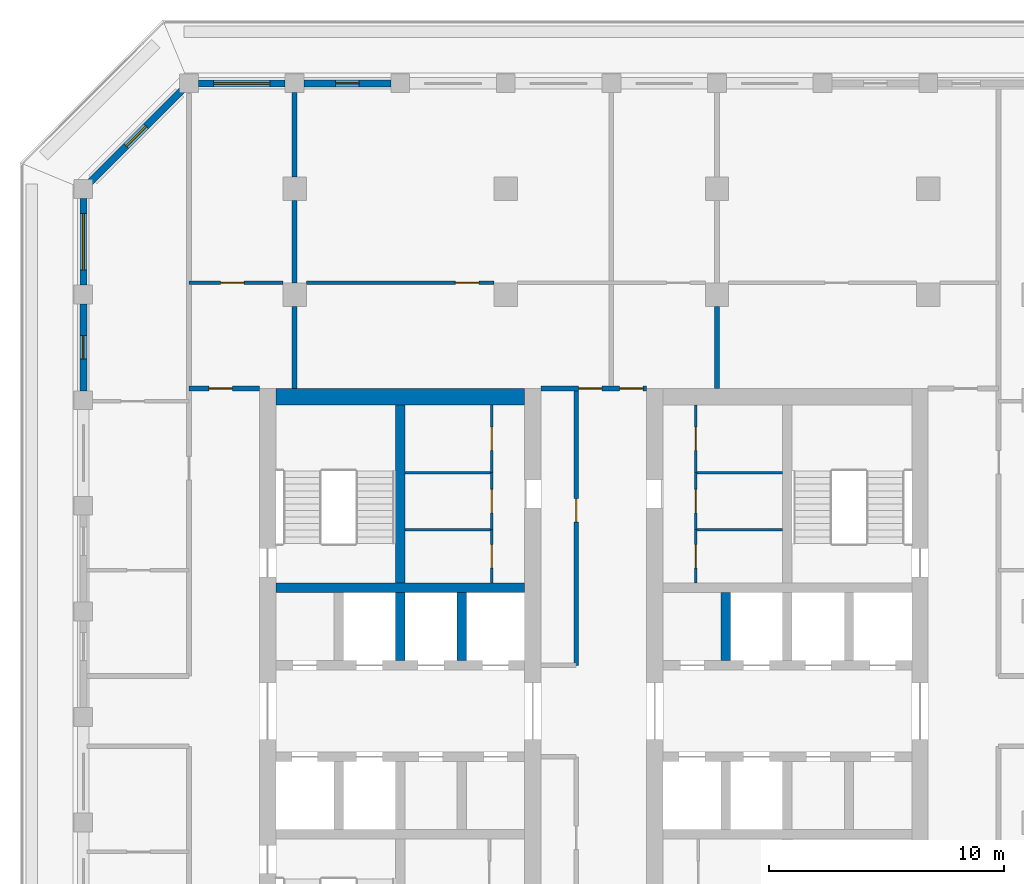
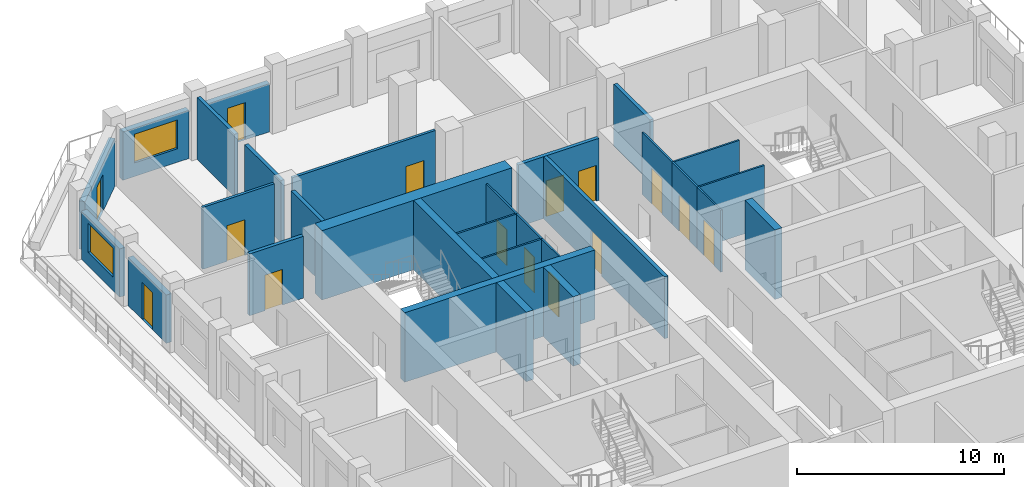
# One storey, part 6 of 17: 30 walls, 15 doors, 2 windows, 17 openings.
"""IFC4 building model written with IfcOpenShell, lengths in metres."""

from ifc_helpers import new_model, si_unit, direction, frame, frame_2d, origin, place, context, subcontext, project, spatial, rectangle, extrude, material, layer, layer_set, type_object, element, fill, save


model = new_model("IFC4")

# Units and contexts
model_context = context("Model", 3, precision=1e-05, world=origin(), true_north=direction((0.0, 1.0)))
body_context = subcontext(model_context, "Body", "Model", "MODEL_VIEW")
ifc_project = project(units=[si_unit("LENGTHUNIT", "METRE"), si_unit("AREAUNIT", "SQUARE_METRE"), si_unit("VOLUMEUNIT", "CUBIC_METRE"), si_unit("PLANEANGLEUNIT", "RADIAN"), si_unit("MASSUNIT", "GRAM", prefix="KILO")], contexts=[model_context])

# Site, building, storey
site_placement = place(None, origin())
site = spatial("IfcSite", under=ifc_project, at=site_placement, CompositionType="ELEMENT")
building_placement = place(site_placement, origin())
building = spatial("IfcBuilding", under=site, at=building_placement, Name="Corbel Stack Research Tower", CompositionType="ELEMENT")
storey_placement = place(building_placement, frame((0.0, 0.0, 243.89990234375)))
storey = spatial("IfcBuildingStorey", under=building, at=storey_placement, Name="L55", CompositionType="ELEMENT", Elevation=243.89990234375)

# Walls
ifc_material_1 = material(Name="Concrete C60/75", Category="concrete")
ifc_layer_1 = layer(ifc_material_1, 0.39990234375)
ifc_layer_set_1 = layer_set([ifc_layer_1], Name="Concrete C60/75")
wall_type_1 = type_object("IfcWallType", Name="CW-400-60", PredefinedType="SHEAR", material=ifc_layer_set_1)
wall_1_placement = place(storey_placement, frame((-9.800048828125, 10.0, 0.0), z_axis=(0.0, 0.0, 1.0), x_axis=(1.0, 0.0, 0.0)))
element("IfcWall", 1, at=wall_1_placement, inside=storey, type_object=wall_type_1, Name="West core wall, north row back L55", PredefinedType="SHEAR", context=body_context, shape_type="SweptSolid", body=[
    extrude(rectangle(XDim=10.60009765625, YDim=0.39990234375, at=frame_2d((5.300048828125, 0.0))), origin(), (0.0, 0.0, 1.0), 4.10009765625),
])
for number, where, z_axis, x_axis, name in (
    (2, (-4.5, 6.89990234375, 0.0), (0.0, 0.0, 1.0), (0.0, 1.0, 0.0), "West core wall, north shaft 2 L55"),
    (3, (-1.875, 6.89990234375, 0.0), (0.0, 0.0, 1.0), (0.0, 1.0, 0.0), "West core wall, north shaft 3 L55"),
):
    element("IfcWall", number, at=place(storey_placement, frame(where, z_axis=z_axis, x_axis=x_axis)), inside=storey, type_object=wall_type_1, Name=name, PredefinedType="SHEAR", context=body_context, shape_type="SweptSolid", body=[
        extrude(rectangle(XDim=2.900146484375, YDim=0.39990234375, at=frame_2d((1.4501953125, 0.0))), origin(), (0.0, 0.0, 1.0), 4.10009765625),
    ])
wall_2_placement = place(storey_placement, frame((-4.5, 10.199951171875, 0.0), z_axis=(0.0, 0.0, 1.0), x_axis=(0.0, 1.0, 0.0)))
element("IfcWall", 4, at=wall_2_placement, inside=storey, type_object=wall_type_1, Name="West core wall, north stair and riser L55", PredefinedType="SHEAR", context=body_context, shape_type="SweptSolid", body=[
    extrude(rectangle(XDim=7.60009765625, YDim=0.39990234375, at=frame_2d((3.800048828125, 0.0))), origin(), (0.0, 0.0, 1.0), 4.10009765625),
])
wall_3_placement = place(storey_placement, frame((9.375, 6.89990234375, 0.0), z_axis=(0.0, 0.0, 1.0), x_axis=(0.0, 1.0, 0.0)))
element("IfcWall", 5, at=wall_3_placement, inside=storey, type_object=wall_type_1, Name="East core wall, north shaft 1 L55", PredefinedType="SHEAR", context=body_context, shape_type="SweptSolid", body=[
    extrude(rectangle(XDim=2.900146484375, YDim=0.39990234375, at=frame_2d((1.4501953125, 0.0))), origin(), (0.0, 0.0, 1.0), 4.10009765625),
])
ifc_material_2 = material(Name="Concrete C60/75", Category="concrete")
ifc_layer_2 = layer(ifc_material_2, 0.699951171875)
ifc_layer_set_2 = layer_set([ifc_layer_2], Name="Concrete C60/75")
wall_type_2 = type_object("IfcWallType", Name="CW-700-60", PredefinedType="SHEAR", material=ifc_layer_set_2)
wall_4_placement = place(storey_placement, frame((-9.800048828125, 18.14990234375, 0.0), z_axis=(0.0, 0.0, 1.0), x_axis=(1.0, 0.0, 0.0)))
element("IfcWall", 6, at=wall_4_placement, inside=storey, type_object=wall_type_2, Name="West core wall, north end L55", PredefinedType="SHEAR", context=body_context, shape_type="SweptSolid", body=[
    extrude(rectangle(XDim=10.60009765625, YDim=0.699951171875, at=frame_2d((5.300048828125, 0.0))), origin(), (0.0, 0.0, 1.0), 4.10009765625),
])

# Wall, opening, door
ifc_material_3 = material(Name="Gypsum board")
ifc_layer_3 = layer(ifc_material_3, 0.10009765625)
ifc_layer_set_3 = layer_set([ifc_layer_3], Name="Gypsum board")
wall_type_3 = type_object("IfcWallType", Name="Core partition 100", PredefinedType="PARTITIONING", material=ifc_layer_set_3)
wall_5_placement = place(storey_placement, frame((-0.60009765625, 10.199951171875, 0.0), z_axis=(0.0, 0.0, 1.0), x_axis=(0.0, 1.0, 0.0)))
wall_5 = element("IfcWall", 7, at=wall_5_placement, inside=storey, type_object=wall_type_3, Name="Core partition W", PredefinedType="PARTITIONING", context=body_context, shape_type="SweptSolid", body=[
    extrude(rectangle(XDim=2.280029296875, YDim=0.10009765625, at=frame_2d((1.14013671875, 0.0))), origin(), (0.0, 0.0, 1.0), 3.650146484375),
])
opening_1_placement = place(wall_5_placement, frame((0.639892578125, 0.0, 0.0)))
opening_1 = element("IfcOpeningElement", 8, at=opening_1_placement, cuts=wall_5, Name="Opening CR-W12-R2-1000", PredefinedType="OPENING", context=body_context, shape_type="SweptSolid", body=[
    extrude(rectangle(XDim=1.0, YDim=2.10009765625, at=frame_2d((0.5, 1.050048828125))), frame((0.0, 0.06005859375, 0.0), z_axis=(0.0, -1.0, 0.0), x_axis=(1.0, 0.0, 0.0)), (0.0, 0.0, 1.0), 0.1201171875),
])
ifc_material_4 = material(Name="Painted steel door", Category="steel")
door_type_1 = type_object("IfcDoorType", Name="Riser door 1000 x 2100 FD60 right hand", OperationType="SINGLE_SWING_RIGHT", PredefinedType="DOOR", material=ifc_material_4)
door_1_placement = place(opening_1_placement, origin())
door_1 = element("IfcDoor", 9, at=door_1_placement, inside=storey, type_object=door_type_1, Name="Mechanical riser door W core", OperationType="SINGLE_SWING_RIGHT", OverallHeight=2.10009765625, OverallWidth=1.0, PredefinedType="DOOR", context=body_context, shape_type="SweptSolid", body=[
    extrude(rectangle(XDim=1.0, YDim=2.10009765625, at=frame_2d((0.5, 1.050048828125))), frame((0.0, 0.02490234375, 0.0), z_axis=(0.0, -1.0, 0.0), x_axis=(1.0, 0.0, 0.0)), (0.0, 0.0, 1.0), 0.050048828125),
])
fill(opening_1, door_1)

wall_6_placement = place(storey_placement, frame((-0.60009765625, 12.47998046875, 0.0), z_axis=(0.0, 0.0, 1.0), x_axis=(0.0, 1.0, 0.0)))
wall_6 = element("IfcWall", 10, at=wall_6_placement, inside=storey, type_object=wall_type_3, Name="Core partition W", PredefinedType="PARTITIONING", context=body_context, shape_type="SweptSolid", body=[
    extrude(rectangle(XDim=2.43212890625, YDim=0.10009765625, at=frame_2d((1.216064453125, 0.0))), origin(), (0.0, 0.0, 1.0), 3.650146484375),
])
opening_2_placement = place(wall_6_placement, frame((0.716064453125, 0.0, 0.0)))
opening_2 = element("IfcOpeningElement", 11, at=opening_2_placement, cuts=wall_6, Name="Opening CR-W12-R3-1000", PredefinedType="OPENING", context=body_context, shape_type="SweptSolid", body=[
    extrude(rectangle(XDim=1.0, YDim=2.10009765625, at=frame_2d((0.5, 1.050048828125))), frame((0.0, 0.06005859375, 0.0), z_axis=(0.0, -1.0, 0.0), x_axis=(1.0, 0.0, 0.0)), (0.0, 0.0, 1.0), 0.1201171875),
])
ifc_material_5 = material(Name="Painted steel door", Category="steel")
door_type_2 = type_object("IfcDoorType", Name="Service door 1000 x 2100 FD30 left hand", OperationType="SINGLE_SWING_LEFT", PredefinedType="DOOR", material=ifc_material_5)
door_2_placement = place(opening_2_placement, origin())
door_2 = element("IfcDoor", 12, at=door_2_placement, inside=storey, type_object=door_type_2, Name="Pantry door W core", OperationType="SINGLE_SWING_LEFT", OverallHeight=2.10009765625, OverallWidth=1.0, PredefinedType="DOOR", context=body_context, shape_type="SweptSolid", body=[
    extrude(rectangle(XDim=1.0, YDim=2.10009765625, at=frame_2d((0.5, 1.050048828125))), frame((0.0, 0.02490234375, 0.0), z_axis=(0.0, -1.0, 0.0), x_axis=(1.0, 0.0, 0.0)), (0.0, 0.0, 1.0), 0.050048828125),
])
fill(opening_2, door_2)

wall_7_placement = place(storey_placement, frame((-0.60009765625, 14.912109375, 0.0), z_axis=(0.0, 0.0, 1.0), x_axis=(0.0, 1.0, 0.0)))
wall_7 = element("IfcWall", 13, at=wall_7_placement, inside=storey, type_object=wall_type_3, Name="Core partition W", PredefinedType="PARTITIONING", context=body_context, shape_type="SweptSolid", body=[
    extrude(rectangle(XDim=2.887939453125, YDim=0.10009765625, at=frame_2d((1.44384765625, 0.0))), origin(), (0.0, 0.0, 1.0), 3.650146484375),
])
opening_3_placement = place(wall_7_placement, frame((0.944091796875, 0.0, 0.0)))
opening_3 = element("IfcOpeningElement", 14, at=opening_3_placement, cuts=wall_7, Name="Opening CR-W12-R4-1000", PredefinedType="OPENING", context=body_context, shape_type="SweptSolid", body=[
    extrude(rectangle(XDim=1.0, YDim=2.10009765625, at=frame_2d((0.5, 1.050048828125))), frame((0.0, 0.06005859375, 0.0), z_axis=(0.0, -1.0, 0.0), x_axis=(1.0, 0.0, 0.0)), (0.0, 0.0, 1.0), 0.1201171875),
])
door_3_placement = place(opening_3_placement, origin())
door_3 = element("IfcDoor", 15, at=door_3_placement, inside=storey, type_object=door_type_1, Name="Electrical riser door W core", OperationType="SINGLE_SWING_RIGHT", OverallHeight=2.10009765625, OverallWidth=1.0, PredefinedType="DOOR", context=body_context, shape_type="SweptSolid", body=[
    extrude(rectangle(XDim=1.0, YDim=2.10009765625, at=frame_2d((0.5, 1.050048828125))), frame((0.0, 0.02490234375, 0.0), z_axis=(0.0, -1.0, 0.0), x_axis=(1.0, 0.0, 0.0)), (0.0, 0.0, 1.0), 0.050048828125),
])
fill(opening_3, door_3)

# Walls
for number, where, z_axis, x_axis, name in (
    (16, (-4.300048828125, 12.47998046875, 0.0), (0.0, 0.0, 1.0), (1.0, 0.0, 0.0), "Core partition W"),
    (17, (-4.300048828125, 14.912109375, 0.0), (0.0, 0.0, 1.0), (1.0, 0.0, 0.0), "Core partition W"),
):
    element("IfcWall", number, at=place(storey_placement, frame(where, z_axis=z_axis, x_axis=x_axis)), inside=storey, type_object=wall_type_3, Name=name, PredefinedType="PARTITIONING", context=body_context, shape_type="SweptSolid", body=[
        extrude(rectangle(XDim=3.699951171875, YDim=0.10009765625, at=frame_2d((1.85009765625, 0.0))), origin(), (0.0, 0.0, 1.0), 3.650146484375),
    ])

# Wall, opening, door
wall_8_placement = place(storey_placement, frame((8.10009765625, 10.199951171875, 0.0), z_axis=(0.0, 0.0, 1.0), x_axis=(0.0, 1.0, 0.0)))
wall_8 = element("IfcWall", 18, at=wall_8_placement, inside=storey, type_object=wall_type_3, Name="Core partition E", PredefinedType="PARTITIONING", context=body_context, shape_type="SweptSolid", body=[
    extrude(rectangle(XDim=2.280029296875, YDim=0.10009765625, at=frame_2d((1.14013671875, 0.0))), origin(), (0.0, 0.0, 1.0), 3.650146484375),
])
opening_4_placement = place(wall_8_placement, frame((0.639892578125, 0.0, 0.0)))
opening_4 = element("IfcOpeningElement", 19, at=opening_4_placement, cuts=wall_8, Name="Opening CR-E12-R2-1000", PredefinedType="OPENING", context=body_context, shape_type="SweptSolid", body=[
    extrude(rectangle(XDim=1.0, YDim=2.10009765625, at=frame_2d((0.5, 1.050048828125))), frame((0.0, 0.06005859375, 0.0), z_axis=(0.0, -1.0, 0.0), x_axis=(1.0, 0.0, 0.0)), (0.0, 0.0, 1.0), 0.1201171875),
])
ifc_material_6 = material(Name="Painted steel door", Category="steel")
door_type_3 = type_object("IfcDoorType", Name="Riser door 1000 x 2100 FD60 left hand", OperationType="SINGLE_SWING_LEFT", PredefinedType="DOOR", material=ifc_material_6)
door_4_placement = place(opening_4_placement, origin())
door_4 = element("IfcDoor", 20, at=door_4_placement, inside=storey, type_object=door_type_3, Name="Mechanical riser door E core", OperationType="SINGLE_SWING_LEFT", OverallHeight=2.10009765625, OverallWidth=1.0, PredefinedType="DOOR", context=body_context, shape_type="SweptSolid", body=[
    extrude(rectangle(XDim=1.0, YDim=2.10009765625, at=frame_2d((0.5, 1.050048828125))), frame((0.0, 0.02490234375, 0.0), z_axis=(0.0, -1.0, 0.0), x_axis=(1.0, 0.0, 0.0)), (0.0, 0.0, 1.0), 0.050048828125),
])
fill(opening_4, door_4)

wall_9_placement = place(storey_placement, frame((8.10009765625, 12.47998046875, 0.0), z_axis=(0.0, 0.0, 1.0), x_axis=(0.0, 1.0, 0.0)))
wall_9 = element("IfcWall", 21, at=wall_9_placement, inside=storey, type_object=wall_type_3, Name="Core partition E", PredefinedType="PARTITIONING", context=body_context, shape_type="SweptSolid", body=[
    extrude(rectangle(XDim=2.43212890625, YDim=0.10009765625, at=frame_2d((1.216064453125, 0.0))), origin(), (0.0, 0.0, 1.0), 3.650146484375),
])
opening_5_placement = place(wall_9_placement, frame((0.716064453125, 0.0, 0.0)))
opening_5 = element("IfcOpeningElement", 22, at=opening_5_placement, cuts=wall_9, Name="Opening CR-E12-R3-1000", PredefinedType="OPENING", context=body_context, shape_type="SweptSolid", body=[
    extrude(rectangle(XDim=1.0, YDim=2.10009765625, at=frame_2d((0.5, 1.050048828125))), frame((0.0, 0.06005859375, 0.0), z_axis=(0.0, -1.0, 0.0), x_axis=(1.0, 0.0, 0.0)), (0.0, 0.0, 1.0), 0.1201171875),
])
ifc_material_7 = material(Name="Painted steel door", Category="steel")
door_type_4 = type_object("IfcDoorType", Name="Service door 1000 x 2100 FD30 right hand", OperationType="SINGLE_SWING_RIGHT", PredefinedType="DOOR", material=ifc_material_7)
door_5_placement = place(opening_5_placement, origin())
door_5 = element("IfcDoor", 23, at=door_5_placement, inside=storey, type_object=door_type_4, Name="Pantry door E core", OperationType="SINGLE_SWING_RIGHT", OverallHeight=2.10009765625, OverallWidth=1.0, PredefinedType="DOOR", context=body_context, shape_type="SweptSolid", body=[
    extrude(rectangle(XDim=1.0, YDim=2.10009765625, at=frame_2d((0.5, 1.050048828125))), frame((0.0, 0.02490234375, 0.0), z_axis=(0.0, -1.0, 0.0), x_axis=(1.0, 0.0, 0.0)), (0.0, 0.0, 1.0), 0.050048828125),
])
fill(opening_5, door_5)

wall_10_placement = place(storey_placement, frame((8.10009765625, 14.912109375, 0.0), z_axis=(0.0, 0.0, 1.0), x_axis=(0.0, 1.0, 0.0)))
wall_10 = element("IfcWall", 24, at=wall_10_placement, inside=storey, type_object=wall_type_3, Name="Core partition E", PredefinedType="PARTITIONING", context=body_context, shape_type="SweptSolid", body=[
    extrude(rectangle(XDim=2.887939453125, YDim=0.10009765625, at=frame_2d((1.44384765625, 0.0))), origin(), (0.0, 0.0, 1.0), 3.650146484375),
])
opening_6_placement = place(wall_10_placement, frame((0.944091796875, 0.0, 0.0)))
opening_6 = element("IfcOpeningElement", 25, at=opening_6_placement, cuts=wall_10, Name="Opening CR-E12-R4-1000", PredefinedType="OPENING", context=body_context, shape_type="SweptSolid", body=[
    extrude(rectangle(XDim=1.0, YDim=2.10009765625, at=frame_2d((0.5, 1.050048828125))), frame((0.0, 0.06005859375, 0.0), z_axis=(0.0, -1.0, 0.0), x_axis=(1.0, 0.0, 0.0)), (0.0, 0.0, 1.0), 0.1201171875),
])
door_6_placement = place(opening_6_placement, origin())
door_6 = element("IfcDoor", 26, at=door_6_placement, inside=storey, type_object=door_type_3, Name="Electrical riser door E core", OperationType="SINGLE_SWING_LEFT", OverallHeight=2.10009765625, OverallWidth=1.0, PredefinedType="DOOR", context=body_context, shape_type="SweptSolid", body=[
    extrude(rectangle(XDim=1.0, YDim=2.10009765625, at=frame_2d((0.5, 1.050048828125))), frame((0.0, 0.02490234375, 0.0), z_axis=(0.0, -1.0, 0.0), x_axis=(1.0, 0.0, 0.0)), (0.0, 0.0, 1.0), 0.050048828125),
])
fill(opening_6, door_6)

# Walls
for number, where, z_axis, x_axis, name in (
    (27, (8.10009765625, 12.47998046875, 0.0), (0.0, 0.0, 1.0), (1.0, 0.0, 0.0), "Core partition E"),
    (28, (8.10009765625, 14.912109375, 0.0), (0.0, 0.0, 1.0), (1.0, 0.0, 0.0), "Core partition E"),
):
    element("IfcWall", number, at=place(storey_placement, frame(where, z_axis=z_axis, x_axis=x_axis)), inside=storey, type_object=wall_type_3, Name=name, PredefinedType="PARTITIONING", context=body_context, shape_type="SweptSolid", body=[
        extrude(rectangle(XDim=3.699951171875, YDim=0.10009765625, at=frame_2d((1.85009765625, 0.0))), origin(), (0.0, 0.0, 1.0), 3.650146484375),
    ])
ifc_material_8 = material(Name="Fire-rated gypsum board partition on steel studs", Category="steel")
ifc_layer_4 = layer(ifc_material_8, 0.199951171875)
ifc_layer_set_4 = layer_set([ifc_layer_4], Name="Fire-rated gypsum board partition on steel studs")
wall_type_4 = type_object("IfcWallType", Name="Fire-rated partition 200 EI 60", PredefinedType="PARTITIONING", material=ifc_layer_set_4)
for number, where, z_axis, x_axis, name in (
    (29, (-9.0, 18.5, 0.0), (0.0, 0.0, 1.0), (0.0, 1.0, 0.0), "Partition L55-005"),
    (30, (-9.0, 23.0, 0.0), (0.0, 0.0, 1.0), (0.0, 1.0, 0.0), "Partition L55-006"),
):
    element("IfcWall", number, at=place(storey_placement, frame(where, z_axis=z_axis, x_axis=x_axis)), inside=storey, type_object=wall_type_4, Name=name, PredefinedType="PARTITIONING", context=body_context, shape_type="SweptSolid", body=[
        extrude(rectangle(XDim=3.5, YDim=0.199951171875, at=frame_2d((1.75, 0.0))), origin(), (0.0, 0.0, 1.0), 3.650146484375),
    ])
wall_11_placement = place(storey_placement, frame((-9.0, 27.5, 0.0), z_axis=(0.0, 0.0, 1.0), x_axis=(0.0, 1.0, 0.0)))
element("IfcWall", 31, at=wall_11_placement, inside=storey, type_object=wall_type_4, Name="Partition L55-007", PredefinedType="PARTITIONING", context=body_context, shape_type="SweptSolid", body=[
    extrude(rectangle(XDim=3.60009765625, YDim=0.199951171875, at=frame_2d((1.800048828125, 0.0))), origin(), (0.0, 0.0, 1.0), 3.650146484375),
])

# Wall, opening, door
wall_12_placement = place(storey_placement, frame((3.0, 6.699951171875, 0.0), z_axis=(0.0, 0.0, 1.0), x_axis=(0.0, 1.0, 0.0)))
wall_12 = element("IfcWall", 32, at=wall_12_placement, inside=storey, type_object=wall_type_4, Name="Partition L55-010", PredefinedType="PARTITIONING", context=body_context, shape_type="SweptSolid", body=[
    extrude(rectangle(XDim=11.800048828125, YDim=0.199951171875, at=frame_2d((5.89990234375, 0.0))), origin(), (0.0, 0.0, 1.0), 3.650146484375),
])
opening_7_placement = place(wall_12_placement, frame((6.10009765625, 0.0, 0.0)))
opening_7 = element("IfcOpeningElement", 33, at=opening_7_placement, cuts=wall_12, Name="Opening B7V1-017", PredefinedType="OPENING", context=body_context, shape_type="SweptSolid", body=[
    extrude(rectangle(XDim=1.0, YDim=2.10009765625, at=frame_2d((0.5, 1.050048828125))), frame((0.0, 0.10986328125, 0.0), z_axis=(0.0, -1.0, 0.0), x_axis=(1.0, 0.0, 0.0)), (0.0, 0.0, 1.0), 0.219970703125),
])
ifc_material_9 = material(Name="Painted steel fire door", Category="steel")
door_type_5 = type_object("IfcDoorType", Name="Fire door FD30S 1000 x 2100", OperationType="NOTDEFINED", PredefinedType="DOOR", material=ifc_material_9)
door_7_placement = place(opening_7_placement, origin())
door_7 = element("IfcDoor", 34, at=door_7_placement, inside=storey, type_object=door_type_5, Name="Door B7V1-017", OperationType="SINGLE_SWING_RIGHT", OverallHeight=2.10009765625, OverallWidth=1.0, PredefinedType="DOOR", context=body_context, shape_type="SweptSolid", body=[
    extrude(rectangle(XDim=1.0, YDim=2.10009765625, at=frame_2d((0.5, 1.050048828125))), frame((0.0, 0.02490234375, 0.0), z_axis=(0.0, -1.0, 0.0), x_axis=(1.0, 0.0, 0.0)), (0.0, 0.0, 1.0), 0.050048828125),
])
fill(opening_7, door_7)

# Wall
wall_13_placement = place(storey_placement, frame((9.0, 18.5, 0.0), z_axis=(0.0, 0.0, 1.0), x_axis=(0.0, 1.0, 0.0)))
element("IfcWall", 35, at=wall_13_placement, inside=storey, type_object=wall_type_4, Name="Partition L55-015", PredefinedType="PARTITIONING", context=body_context, shape_type="SweptSolid", body=[
    extrude(rectangle(XDim=3.5, YDim=0.199951171875, at=frame_2d((1.75, 0.0))), origin(), (0.0, 0.0, 1.0), 3.650146484375),
])

# Wall, opening, door
wall_14_placement = place(storey_placement, frame((-13.5, 18.5, 0.0), z_axis=(0.0, 0.0, 1.0), x_axis=(1.0, 0.0, 0.0)))
wall_14 = element("IfcWall", 36, at=wall_14_placement, inside=storey, type_object=wall_type_4, Name="Partition L55-042", PredefinedType="PARTITIONING", context=body_context, shape_type="SweptSolid", body=[
    extrude(rectangle(XDim=3.0, YDim=0.199951171875, at=frame_2d((1.5, 0.0))), origin(), (0.0, 0.0, 1.0), 3.650146484375),
])
opening_8_placement = place(wall_14_placement, frame((0.85009765625, 0.0, 0.0)))
opening_8 = element("IfcOpeningElement", 37, at=opening_8_placement, cuts=wall_14, Name="Opening B7V1-022", PredefinedType="OPENING", context=body_context, shape_type="SweptSolid", body=[
    extrude(rectangle(XDim=1.0, YDim=2.10009765625, at=frame_2d((0.5, 1.050048828125))), frame((0.0, 0.10986328125, 0.0), z_axis=(0.0, -1.0, 0.0), x_axis=(1.0, 0.0, 0.0)), (0.0, 0.0, 1.0), 0.219970703125),
])
door_8_placement = place(opening_8_placement, origin())
door_8 = element("IfcDoor", 38, at=door_8_placement, inside=storey, type_object=door_type_5, Name="Door B7V1-022", OperationType="SINGLE_SWING_LEFT", OverallHeight=2.10009765625, OverallWidth=1.0, PredefinedType="DOOR", context=body_context, shape_type="SweptSolid", body=[
    extrude(rectangle(XDim=1.0, YDim=2.10009765625, at=frame_2d((0.5, 1.050048828125))), frame((0.0, 0.02490234375, 0.0), z_axis=(0.0, -1.0, 0.0), x_axis=(1.0, 0.0, 0.0)), (0.0, 0.0, 1.0), 0.050048828125),
])
fill(opening_8, door_8)

# Wall, openings, doors
wall_15_placement = place(storey_placement, frame((1.5, 18.5, 0.0), z_axis=(0.0, 0.0, 1.0), x_axis=(1.0, 0.0, 0.0)))
wall_15 = element("IfcWall", 39, at=wall_15_placement, inside=storey, type_object=wall_type_4, Name="Partition L55-043", PredefinedType="PARTITIONING", context=body_context, shape_type="SweptSolid", body=[
    extrude(rectangle(XDim=4.5, YDim=0.199951171875, at=frame_2d((2.25, 0.0))), origin(), (0.0, 0.0, 1.0), 3.650146484375),
])
opening_9_placement = place(wall_15_placement, frame((1.60009765625, 0.0, 0.0)))
opening_9 = element("IfcOpeningElement", 40, at=opening_9_placement, cuts=wall_15, Name="Opening B7V1-023", PredefinedType="OPENING", context=body_context, shape_type="SweptSolid", body=[
    extrude(rectangle(XDim=1.0, YDim=2.10009765625, at=frame_2d((0.5, 1.050048828125))), frame((0.0, 0.10986328125, 0.0), z_axis=(0.0, -1.0, 0.0), x_axis=(1.0, 0.0, 0.0)), (0.0, 0.0, 1.0), 0.219970703125),
])
opening_10_placement = place(wall_15_placement, frame((3.35009765625, 0.0, 0.0)))
opening_10 = element("IfcOpeningElement", 41, at=opening_10_placement, cuts=wall_15, Name="Opening B7V1-024", PredefinedType="OPENING", context=body_context, shape_type="SweptSolid", body=[
    extrude(rectangle(XDim=1.0, YDim=2.10009765625, at=frame_2d((0.5, 1.050048828125))), frame((0.0, 0.10986328125, 0.0), z_axis=(0.0, -1.0, 0.0), x_axis=(1.0, 0.0, 0.0)), (0.0, 0.0, 1.0), 0.219970703125),
])
door_9_placement = place(opening_9_placement, origin())
door_9 = element("IfcDoor", 42, at=door_9_placement, inside=storey, type_object=door_type_5, Name="Door B7V1-023", OperationType="SINGLE_SWING_LEFT", OverallHeight=2.10009765625, OverallWidth=1.0, PredefinedType="DOOR", context=body_context, shape_type="SweptSolid", body=[
    extrude(rectangle(XDim=1.0, YDim=2.10009765625, at=frame_2d((0.5, 1.050048828125))), frame((0.0, 0.02490234375, 0.0), z_axis=(0.0, -1.0, 0.0), x_axis=(1.0, 0.0, 0.0)), (0.0, 0.0, 1.0), 0.050048828125),
])
fill(opening_9, door_9)
door_10_placement = place(opening_10_placement, origin())
door_10 = element("IfcDoor", 43, at=door_10_placement, inside=storey, type_object=door_type_5, Name="Door B7V1-024", OperationType="SINGLE_SWING_RIGHT", OverallHeight=2.10009765625, OverallWidth=1.0, PredefinedType="DOOR", context=body_context, shape_type="SweptSolid", body=[
    extrude(rectangle(XDim=1.0, YDim=2.10009765625, at=frame_2d((0.5, 1.050048828125))), frame((0.0, 0.02490234375, 0.0), z_axis=(0.0, -1.0, 0.0), x_axis=(1.0, 0.0, 0.0)), (0.0, 0.0, 1.0), 0.050048828125),
])
fill(opening_10, door_10)

# Wall, opening, door
ifc_material_10 = material(Name="Gypsum board partition on steel studs", Category="steel")
ifc_layer_5 = layer(ifc_material_10, 0.14990234375)
ifc_layer_set_5 = layer_set([ifc_layer_5], Name="Gypsum board partition on steel studs")
wall_type_5 = type_object("IfcWallType", Name="Partition 150", PredefinedType="PARTITIONING", material=ifc_layer_set_5)
wall_16_placement = place(storey_placement, frame((-13.5, 23.0, 0.0), z_axis=(0.0, 0.0, 1.0), x_axis=(1.0, 0.0, 0.0)))
wall_16 = element("IfcWall", 44, at=wall_16_placement, inside=storey, type_object=wall_type_5, Name="Partition L55-045", PredefinedType="PARTITIONING", context=body_context, shape_type="SweptSolid", body=[
    extrude(rectangle(XDim=4.0, YDim=0.14990234375, at=frame_2d((2.0, 0.0))), origin(), (0.0, 0.0, 1.0), 3.650146484375),
])
opening_11_placement = place(wall_16_placement, frame((1.35009765625, 0.0, 0.0)))
opening_11 = element("IfcOpeningElement", 45, at=opening_11_placement, cuts=wall_16, Name="Opening B7V1-028", PredefinedType="OPENING", context=body_context, shape_type="SweptSolid", body=[
    extrude(rectangle(XDim=1.0, YDim=2.10009765625, at=frame_2d((0.5, 1.050048828125))), frame((0.0, 0.0849609375, 0.0), z_axis=(0.0, -1.0, 0.0), x_axis=(1.0, 0.0, 0.0)), (0.0, 0.0, 1.0), 0.169921875),
])
ifc_material_11 = material(Name="Painted timber door", Category="wood")
door_type_6 = type_object("IfcDoorType", Name="Single door 1000 x 2100", OperationType="NOTDEFINED", PredefinedType="DOOR", material=ifc_material_11)
door_11_placement = place(opening_11_placement, origin())
door_11 = element("IfcDoor", 46, at=door_11_placement, inside=storey, type_object=door_type_6, Name="Door B7V1-028", OperationType="SINGLE_SWING_LEFT", OverallHeight=2.10009765625, OverallWidth=1.0, PredefinedType="DOOR", context=body_context, shape_type="SweptSolid", body=[
    extrude(rectangle(XDim=1.0, YDim=2.10009765625, at=frame_2d((0.5, 1.050048828125))), frame((0.0, 0.02490234375, 0.0), z_axis=(0.0, -1.0, 0.0), x_axis=(1.0, 0.0, 0.0)), (0.0, 0.0, 1.0), 0.050048828125),
])
fill(opening_11, door_11)

wall_17_placement = place(storey_placement, frame((-8.5, 23.0, 0.0), z_axis=(0.0, 0.0, 1.0), x_axis=(1.0, 0.0, 0.0)))
wall_17 = element("IfcWall", 47, at=wall_17_placement, inside=storey, type_object=wall_type_5, Name="Partition L55-046", PredefinedType="PARTITIONING", context=body_context, shape_type="SweptSolid", body=[
    extrude(rectangle(XDim=8.0, YDim=0.14990234375, at=frame_2d((4.0, 0.0))), origin(), (0.0, 0.0, 1.0), 3.650146484375),
])
opening_12_placement = place(wall_17_placement, frame((6.35009765625, 0.0, 0.0)))
opening_12 = element("IfcOpeningElement", 48, at=opening_12_placement, cuts=wall_17, Name="Opening B7V1-029", PredefinedType="OPENING", context=body_context, shape_type="SweptSolid", body=[
    extrude(rectangle(XDim=1.0, YDim=2.10009765625, at=frame_2d((0.5, 1.050048828125))), frame((0.0, 0.0849609375, 0.0), z_axis=(0.0, -1.0, 0.0), x_axis=(1.0, 0.0, 0.0)), (0.0, 0.0, 1.0), 0.169921875),
])
door_12_placement = place(opening_12_placement, origin())
door_12 = element("IfcDoor", 49, at=door_12_placement, inside=storey, type_object=door_type_6, Name="Door B7V1-029", OperationType="SINGLE_SWING_RIGHT", OverallHeight=2.10009765625, OverallWidth=1.0, PredefinedType="DOOR", context=body_context, shape_type="SweptSolid", body=[
    extrude(rectangle(XDim=1.0, YDim=2.10009765625, at=frame_2d((0.5, 1.050048828125))), frame((0.0, 0.02490234375, 0.0), z_axis=(0.0, -1.0, 0.0), x_axis=(1.0, 0.0, 0.0)), (0.0, 0.0, 1.0), 0.050048828125),
])
fill(opening_12, door_12)

ifc_material_12 = material(Name="Concrete C45/55", Category="concrete")
ifc_layer_6 = layer(ifc_material_12, 0.300048828125)
ifc_layer_set_6 = layer_set([ifc_layer_6], Name="Concrete C45/55")
wall_type_6 = type_object("IfcWallType", Name="Terracotta-faced concrete wall 300", PredefinedType="SOLIDWALL", material=ifc_layer_set_6)
wall_18_placement = place(storey_placement, frame((-8.60009765625, 31.5, 0.0), z_axis=(0.0, 0.0, 1.0), x_axis=(1.0, 0.0, 0.0)))
wall_18 = element("IfcWall", 50, at=wall_18_placement, inside=storey, type_object=wall_type_6, Name="Facade wall L55 N07", PredefinedType="SOLIDWALL", context=body_context, shape_type="SweptSolid", body=[
    extrude(rectangle(XDim=3.7001953125, YDim=0.300048828125, at=frame_2d((1.85009765625, 0.0))), origin(), (0.0, 0.0, 1.0), 2.85009765625),
])
opening_13_placement = place(wall_18_placement, frame((1.35009765625, 0.0, 0.0)))
opening_13 = element("IfcOpeningElement", 51, at=opening_13_placement, cuts=wall_18, Name="Opening L55-B08", PredefinedType="OPENING", context=body_context, shape_type="SweptSolid", body=[
    extrude(rectangle(XDim=1.0, YDim=2.199951171875, at=frame_2d((0.5, 1.10009765625))), frame((0.0, 0.159912109375, 0.0), z_axis=(0.0, -1.0, 0.0), x_axis=(1.0, 0.0, 0.0)), (0.0, 0.0, 1.0), 0.320068359375),
])
ifc_material_13 = material(Name="Aluminium frame, clear double glazing", Category="aluminium")
door_type_7 = type_object("IfcDoorType", Name="Balcony door BD1 1000 x 2200", OperationType="NOTDEFINED", PredefinedType="DOOR", material=ifc_material_13)
door_13_placement = place(opening_13_placement, origin())
door_13 = element("IfcDoor", 52, at=door_13_placement, inside=storey, type_object=door_type_7, Name="Balcony door L55-B08", OperationType="SINGLE_SWING_RIGHT", OverallHeight=2.199951171875, OverallWidth=1.0, PredefinedType="DOOR", context=body_context, shape_type="SweptSolid", body=[
    extrude(rectangle(XDim=1.0, YDim=2.199951171875, at=frame_2d((0.5, 1.10009765625))), frame((0.0, 0.02490234375, 0.0), z_axis=(0.0, -1.0, 0.0), x_axis=(1.0, 0.0, 0.0)), (0.0, 0.0, 1.0), 0.050048828125),
])
fill(opening_13, door_13)

# Wall, opening, window
wall_19_placement = place(storey_placement, frame((-13.10009765625, 31.5, 0.0), z_axis=(0.0, 0.0, 1.0), x_axis=(1.0, 0.0, 0.0)))
wall_19 = element("IfcWall", 53, at=wall_19_placement, inside=storey, type_object=wall_type_6, Name="Facade wall L55 N08", PredefinedType="SOLIDWALL", context=body_context, shape_type="SweptSolid", body=[
    extrude(rectangle(XDim=3.7001953125, YDim=0.300048828125, at=frame_2d((1.85009765625, 0.0))), origin(), (0.0, 0.0, 1.0), 2.85009765625),
])
opening_14_placement = place(wall_19_placement, frame((0.64990234375, 0.0, 0.800048828125)))
opening_14 = element("IfcOpeningElement", 54, at=opening_14_placement, cuts=wall_19, Name="Opening W1", PredefinedType="OPENING", context=body_context, shape_type="SweptSolid", body=[
    extrude(rectangle(XDim=2.39990234375, YDim=1.699951171875, at=frame_2d((1.199951171875, 0.85009765625))), frame((0.0, 0.159912109375, 0.0), z_axis=(0.0, -1.0, 0.0), x_axis=(1.0, 0.0, 0.0)), (0.0, 0.0, 1.0), 0.320068359375),
])
ifc_material_14 = material(Name="Aluminium frame, clear double glazing", Category="aluminium")
window_type = type_object("IfcWindowType", Name="Window W1 2400 x 1700", PartitioningType="SINGLE_PANEL", PredefinedType="WINDOW", material=ifc_material_14)
window_1_placement = place(opening_14_placement, origin())
window_1 = element("IfcWindow", 55, at=window_1_placement, inside=storey, type_object=window_type, Name="Window W1 L55 N08", OverallHeight=1.699951171875, OverallWidth=2.39990234375, PartitioningType="SINGLE_PANEL", PredefinedType="WINDOW", context=body_context, shape_type="SweptSolid", body=[
    extrude(rectangle(XDim=2.39990234375, YDim=1.699951171875, at=frame_2d((1.199951171875, 0.85009765625))), frame((0.0, 0.030029296875, 0.0), z_axis=(0.0, -1.0, 0.0), x_axis=(1.0, 0.0, 0.0)), (0.0, 0.0, 1.0), 0.06005859375),
])
fill(opening_14, window_1)

# Wall, opening, door
wall_20_placement = place(storey_placement, frame((-17.7060546875, 27.2939453125, 0.0), z_axis=(0.0, 0.0, 1.0), x_axis=(0.707106781187, 0.707106781187, 0.0)))
wall_20 = element("IfcWall", 56, at=wall_20_placement, inside=storey, type_object=wall_type_6, Name="Facade wall L55 NW01", PredefinedType="SOLIDWALL", context=body_context, shape_type="SweptSolid", body=[
    extrude(rectangle(XDim=5.532470703125, YDim=0.300048828125, at=frame_2d((2.76611328125, 0.0))), origin(), (0.0, 0.0, 1.0), 2.85009765625),
])
opening_15_placement = place(wall_20_placement, frame((2.166259765625, 0.0, 0.0)))
opening_15 = element("IfcOpeningElement", 57, at=opening_15_placement, cuts=wall_20, Name="Opening L55-B09", PredefinedType="OPENING", context=body_context, shape_type="SweptSolid", body=[
    extrude(rectangle(XDim=1.199951171875, YDim=2.199951171875, at=frame_2d((0.60009765625, 1.10009765625))), frame((0.0, 0.159912109375, 0.0), z_axis=(0.0, -1.0, 0.0), x_axis=(1.0, 0.0, 0.0)), (0.0, 0.0, 1.0), 0.320068359375),
])
ifc_material_15 = material(Name="Aluminium frame, clear double glazing", Category="aluminium")
door_type_8 = type_object("IfcDoorType", Name="Balcony door BD2 1200 x 2200", OperationType="NOTDEFINED", PredefinedType="DOOR", material=ifc_material_15)
door_14_placement = place(opening_15_placement, origin())
door_14 = element("IfcDoor", 58, at=door_14_placement, inside=storey, type_object=door_type_8, Name="Balcony door L55-B09", OperationType="SINGLE_SWING_RIGHT", OverallHeight=2.199951171875, OverallWidth=1.199951171875, PredefinedType="DOOR", context=body_context, shape_type="SweptSolid", body=[
    extrude(rectangle(XDim=1.199951171875, YDim=2.199951171875, at=frame_2d((0.60009765625, 1.10009765625))), frame((0.0, 0.02490234375, 0.0), z_axis=(0.0, -1.0, 0.0), x_axis=(1.0, 0.0, 0.0)), (0.0, 0.0, 1.0), 0.050048828125),
])
fill(opening_15, door_14)

# Wall, opening, window
wall_21_placement = place(storey_placement, frame((-18.0, 22.89990234375, 0.0), z_axis=(0.0, 0.0, 1.0), x_axis=(0.0, 1.0, 0.0)))
wall_21 = element("IfcWall", 59, at=wall_21_placement, inside=storey, type_object=wall_type_6, Name="Facade wall L55 W01", PredefinedType="SOLIDWALL", context=body_context, shape_type="SweptSolid", body=[
    extrude(rectangle(XDim=3.7001953125, YDim=0.300048828125, at=frame_2d((1.85009765625, 0.0))), origin(), (0.0, 0.0, 1.0), 2.85009765625),
])
opening_16_placement = place(wall_21_placement, frame((0.64990234375, 0.0, 0.800048828125)))
opening_16 = element("IfcOpeningElement", 60, at=opening_16_placement, cuts=wall_21, Name="Opening W1", PredefinedType="OPENING", context=body_context, shape_type="SweptSolid", body=[
    extrude(rectangle(XDim=2.39990234375, YDim=1.699951171875, at=frame_2d((1.199951171875, 0.85009765625))), frame((0.0, 0.159912109375, 0.0), z_axis=(0.0, -1.0, 0.0), x_axis=(1.0, 0.0, 0.0)), (0.0, 0.0, 1.0), 0.320068359375),
])
window_2_placement = place(opening_16_placement, origin())
window_2 = element("IfcWindow", 61, at=window_2_placement, inside=storey, type_object=window_type, Name="Window W1 L55 W01", OverallHeight=1.699951171875, OverallWidth=2.39990234375, PartitioningType="SINGLE_PANEL", PredefinedType="WINDOW", context=body_context, shape_type="SweptSolid", body=[
    extrude(rectangle(XDim=2.39990234375, YDim=1.699951171875, at=frame_2d((1.199951171875, 0.85009765625))), frame((0.0, 0.030029296875, 0.0), z_axis=(0.0, -1.0, 0.0), x_axis=(1.0, 0.0, 0.0)), (0.0, 0.0, 1.0), 0.06005859375),
])
fill(opening_16, window_2)

# Wall, opening, door
wall_22_placement = place(storey_placement, frame((-18.0, 18.39990234375, 0.0), z_axis=(0.0, 0.0, 1.0), x_axis=(0.0, 1.0, 0.0)))
wall_22 = element("IfcWall", 62, at=wall_22_placement, inside=storey, type_object=wall_type_6, Name="Facade wall L55 W02", PredefinedType="SOLIDWALL", context=body_context, shape_type="SweptSolid", body=[
    extrude(rectangle(XDim=3.7001953125, YDim=0.300048828125, at=frame_2d((1.85009765625, 0.0))), origin(), (0.0, 0.0, 1.0), 2.85009765625),
])
opening_17_placement = place(wall_22_placement, frame((1.35009765625, 0.0, 0.0)))
opening_17 = element("IfcOpeningElement", 63, at=opening_17_placement, cuts=wall_22, Name="Opening L55-B10", PredefinedType="OPENING", context=body_context, shape_type="SweptSolid", body=[
    extrude(rectangle(XDim=1.0, YDim=2.199951171875, at=frame_2d((0.5, 1.10009765625))), frame((0.0, 0.159912109375, 0.0), z_axis=(0.0, -1.0, 0.0), x_axis=(1.0, 0.0, 0.0)), (0.0, 0.0, 1.0), 0.320068359375),
])
door_15_placement = place(opening_17_placement, origin())
door_15 = element("IfcDoor", 64, at=door_15_placement, inside=storey, type_object=door_type_7, Name="Balcony door L55-B10", OperationType="SINGLE_SWING_LEFT", OverallHeight=2.199951171875, OverallWidth=1.0, PredefinedType="DOOR", context=body_context, shape_type="SweptSolid", body=[
    extrude(rectangle(XDim=1.0, YDim=2.199951171875, at=frame_2d((0.5, 1.10009765625))), frame((0.0, 0.02490234375, 0.0), z_axis=(0.0, -1.0, 0.0), x_axis=(1.0, 0.0, 0.0)), (0.0, 0.0, 1.0), 0.050048828125),
])
fill(opening_17, door_15)

save(model, "model.ifc")
